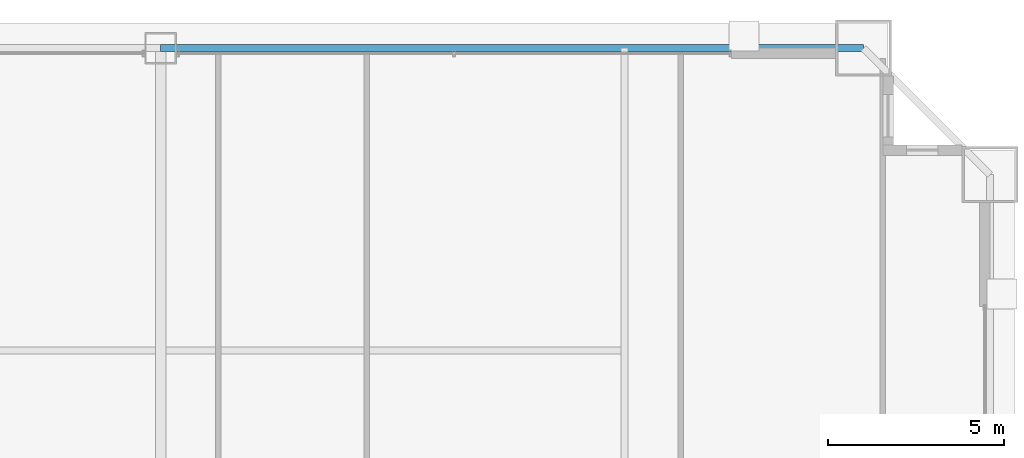
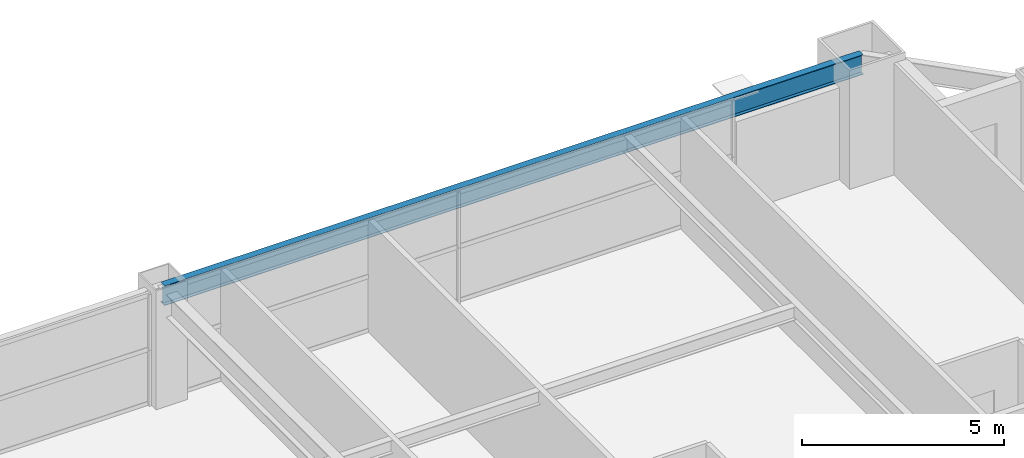
# One storey, part 32 of 39: 1 beam.
"""IFC4 building model written with IfcOpenShell, lengths in metres."""

from ifc_helpers import new_model, si_unit, direction, frame, origin, origin_2d, place, context, subcontext, project, spatial, i_section, extrude, source, transform, mapped, material, material_profile, profile_set, type_object, element, save


model = new_model("IFC4")

# Units and contexts
model_context = context("Model", 3, precision=1e-05, world=origin(), true_north=direction((0.0, 1.0)))
body_context = subcontext(model_context, "Body", "Model", "MODEL_VIEW")
ifc_project = project(units=[si_unit("LENGTHUNIT", "METRE"), si_unit("AREAUNIT", "SQUARE_METRE"), si_unit("VOLUMEUNIT", "CUBIC_METRE"), si_unit("PLANEANGLEUNIT", "RADIAN"), si_unit("MASSUNIT", "GRAM", prefix="KILO"), si_unit("THERMODYNAMICTEMPERATUREUNIT", "KELVIN"), si_unit("POWERUNIT", "WATT")], contexts=[model_context])

# Site, building, storey
site_placement = place(None, origin())
site = spatial("IfcSite", under=ifc_project, at=site_placement, CompositionType="ELEMENT")
building_placement = place(site_placement, origin())
building = spatial("IfcBuilding", under=site, at=building_placement, Name="Yuzanri Waterfront Tower", CompositionType="ELEMENT")
storey_placement = place(building_placement, frame((0.0, 0.0, 148.800048828125)))
storey = spatial("IfcBuildingStorey", under=building, at=storey_placement, Name="L39", CompositionType="ELEMENT", Elevation=148.800048828125)

# Beam
ifc_material = material(Name="Steel Q355B", Category="steel")
ifc_material_profile = material_profile(ifc_material, i_section(OverallWidth=0.199951171875, OverallDepth=0.60009765625, WebThickness=0.010986328125, FlangeThickness=0.01708984375, at=origin_2d()), Name="HN 600x200x11x17")
ifc_profile_set = profile_set([ifc_material_profile], Name="Steel Q355B")
beam_type = type_object("IfcBeamType", Name="Perimeter Spandrel Q355B HN 600x200", PredefinedType="SPANDREL", material=ifc_profile_set)
shared_shape = source(origin(), body_context, "Body", "SweptSolid", [
    extrude(i_section(OverallWidth=0.199951171875, OverallDepth=0.60009765625, WebThickness=0.010986328125, FlangeThickness=0.01708984375, at=origin_2d()), origin(), (0.0, 0.0, 1.0), 20.0),
])
beam_placement = place(storey_placement, frame((57.0, 49.39990234375, 3.079833984375), z_axis=(-1.0, 0.0, 0.0), x_axis=(0.0, -1.0, 0.0)))
element("IfcBeam", 1, at=beam_placement, inside=storey, type_object=beam_type, Name="L39 Perimeter Spandrel N3-N2", PredefinedType="SPANDREL", context=body_context, shape_type="MappedRepresentation", body=[
    mapped(shared_shape, transform((0.0, 0.0, 0.0), scale=1.0)),
])

save(model, "model.ifc")
